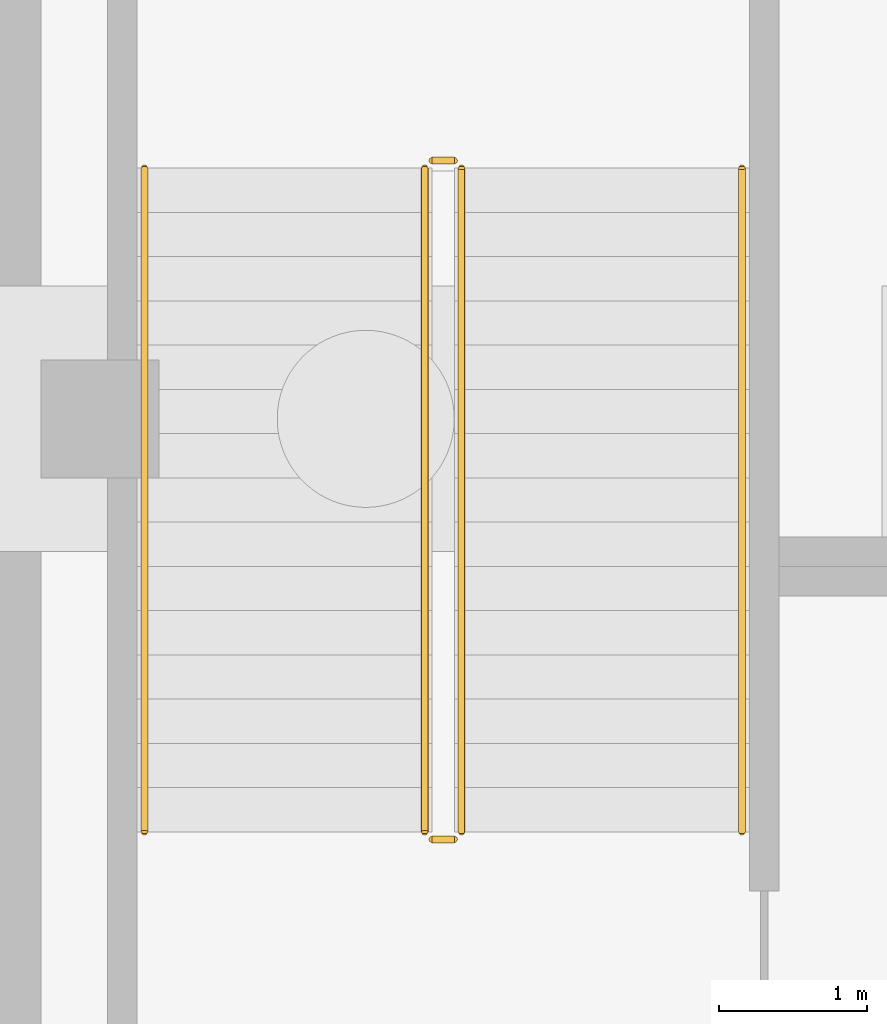
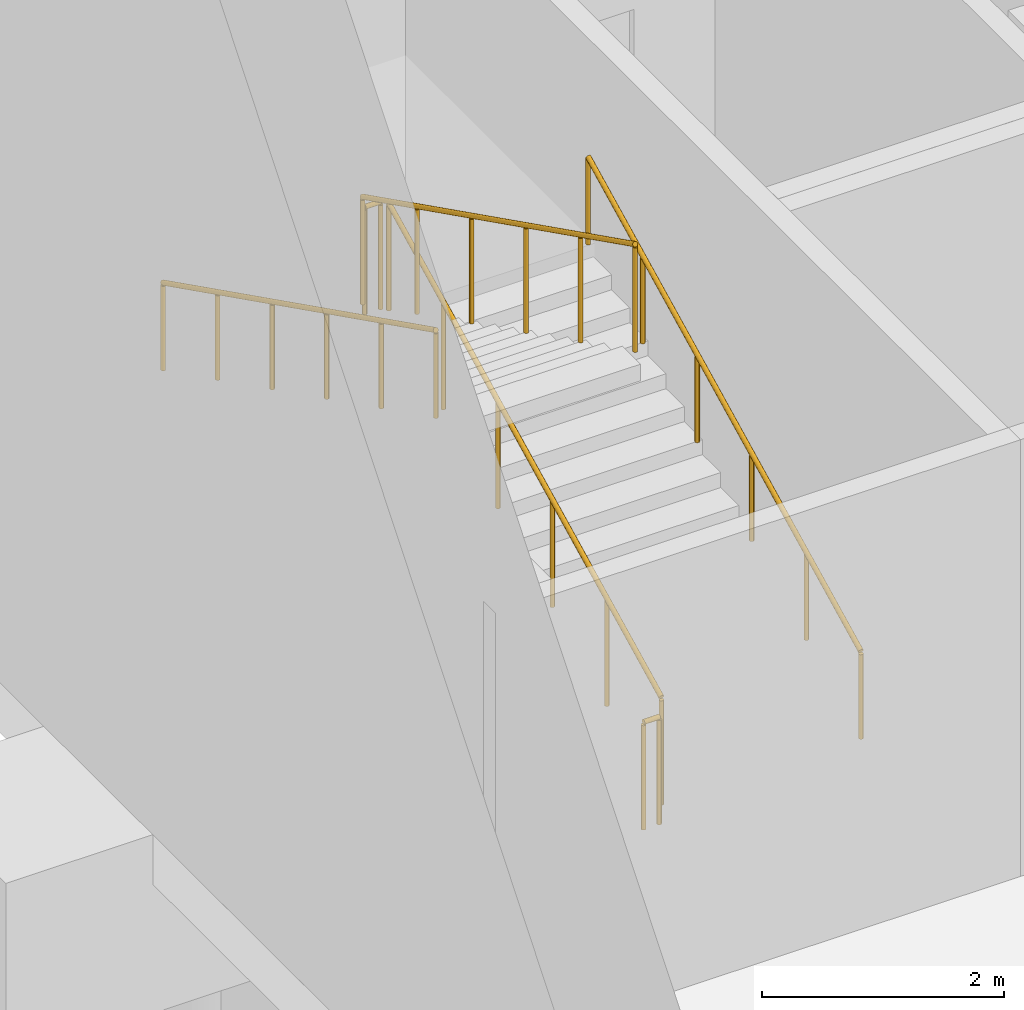
# One storey, part 28 of 46: 6 railings.
"""IFC4 building model written with IfcOpenShell, lengths in metres."""

import ifcopenshell
import ifcopenshell.guid

model = None  # the IFC model being written
_history = None  # IfcOwnerHistory: only IFC2X3 demands one
_inside = {}  # id of a spatial element -> (the spatial element, [elements in it])
_under = {}  # id of a project, library or spatial element -> (it, [spatial elements below it])
_declared = {}  # id of a project -> (the project, [libraries it declares])
_typed = {}  # id of a type object -> (the type object, [elements of that type])
_made_of = {}  # id of a material, layer set ... -> (it, [elements and type objects made of it])


def new_model(schema):
    """Start an empty IFC model of exactly this schema.

    Asked for "IFC4X3", IfcOpenShell would pick the latest addendum, in which some entities
    have other attributes; the version numbers below select the first issue.
    IFC2X3 requires an IfcOwnerHistory on every rooted entity: one is made here for all.
    """
    global model, _history
    if schema == "IFC4X3":
        model = ifcopenshell.file(schema_version=(4, 3, 0, 0))
    else:
        model = ifcopenshell.file(schema=schema)
    _inside.clear()
    _under.clear()
    _declared.clear()
    _typed.clear()
    _made_of.clear()
    _history = None
    if model.schema == "IFC2X3":
        org = make("IfcOrganization", Name="unknown")
        user = make(
            "IfcPersonAndOrganization",
            ThePerson=make("IfcPerson", FamilyName="unknown"),
            TheOrganization=org,
        )
        app = make(
            "IfcApplication",
            ApplicationDeveloper=org,
            Version="unknown",
            ApplicationFullName="unknown",
            ApplicationIdentifier="unknown",
        )
        _history = make(
            "IfcOwnerHistory",
            OwningUser=user,
            OwningApplication=app,
            ChangeAction="ADDED",
            CreationDate=0,
        )
    return model


def make(cls, **values):
    """One entity of the class cls with the attributes given. An attribute that is None is left unset."""
    return model.create_entity(
        cls, **{name: value for name, value in values.items() if value is not None}
    )


def rooted(cls, **values):
    """An entity with a GlobalId (a new one), such as an element, a storey or a relation."""
    return make(cls, GlobalId=ifcopenshell.guid.new(), OwnerHistory=_history, **values)


def si_unit(unit_type, name, prefix=None):
    """IfcSIUnit, for example si_unit("LENGTHUNIT", "METRE", prefix="MILLI")."""
    return make("IfcSIUnit", UnitType=unit_type, Prefix=prefix, Name=name)


def assignment(units):
    """IfcUnitAssignment: the units of a project."""
    return None if units is None else make("IfcUnitAssignment", Units=units)


def point(xyz):
    """IfcCartesianPoint."""
    return None if xyz is None else make("IfcCartesianPoint", Coordinates=xyz)


def direction(xyz):
    """IfcDirection."""
    return None if xyz is None else make("IfcDirection", DirectionRatios=xyz)


def frame(location, z_axis=None, x_axis=None):
    """IfcAxis2Placement3D, a coordinate frame: its origin and axes. An axis left out is left unset."""
    return make(
        "IfcAxis2Placement3D",
        Location=point(location),
        Axis=direction(z_axis),
        RefDirection=direction(x_axis),
    )


def frame_2d(location, x_axis=None):
    """IfcAxis2Placement2D, a coordinate frame in the plane: its origin and x axis."""
    return make(
        "IfcAxis2Placement2D", Location=point(location), RefDirection=direction(x_axis)
    )


def origin():
    """The frame at (0, 0, 0) with its axes left unset."""
    return frame((0.0, 0.0, 0.0))


def origin_2d():
    """The frame at (0, 0) in the plane with its x axis left unset."""
    return frame_2d((0.0, 0.0))


def place(relative_to, where):
    """IfcLocalPlacement: puts the frame where relative to a parent placement (None: the world)."""
    return make(
        "IfcLocalPlacement", PlacementRelTo=relative_to, RelativePlacement=where
    )


def context(
    kind, dimensions, precision=None, world=None, true_north=None, identifier=None
):
    """IfcGeometricRepresentationContext, for example the 3D "Model" context."""
    return make(
        "IfcGeometricRepresentationContext",
        ContextIdentifier=identifier,
        ContextType=kind,
        CoordinateSpaceDimension=dimensions,
        Precision=precision,
        WorldCoordinateSystem=world,
        TrueNorth=true_north,
    )


def subcontext(parent, identifier, kind, view, scale=None):
    """IfcGeometricRepresentationSubContext, for example "Body" below "Model"."""
    return make(
        "IfcGeometricRepresentationSubContext",
        ContextIdentifier=identifier,
        ContextType=kind,
        ParentContext=parent,
        TargetScale=scale,
        TargetView=view,
    )


def project(units=None, contexts=None):
    """IfcProject with its units and contexts."""
    return rooted(
        "IfcProject",
        Name="project",
        RepresentationContexts=contexts,
        UnitsInContext=assignment(units),
    )


def spatial(cls, under=None, at=None, **own):
    """A site, building, storey or space (cls), placed at a placement, below another one or the project."""
    s = rooted(cls, ObjectPlacement=at, **own)
    if under is not None:
        _under.setdefault(under.id(), (under, []))[1].append(s)
    return s


def profile(cls, at=None, kind="AREA", **sizes):
    """A parametric profile (cls). Its sizes go by their IFC names, for example OverallWidth=200.0."""
    return make(cls, ProfileType=kind, Position=at, **sizes)


def circle(**sizes):
    """IfcCircleProfileDef."""
    return profile("IfcCircleProfileDef", **sizes)


def extrude(swept, where, along, depth):
    """IfcExtrudedAreaSolid: the profile swept, set in the frame where, extruded along a direction by depth."""
    return make(
        "IfcExtrudedAreaSolid",
        SweptArea=swept,
        Position=where,
        ExtrudedDirection=direction(along),
        Depth=depth,
    )


def shape(context_of_items, identifier, shape_type, items):
    """IfcShapeRepresentation: the items that make up one representation, for example the "Body"."""
    return make(
        "IfcShapeRepresentation",
        ContextOfItems=context_of_items,
        RepresentationIdentifier=identifier,
        RepresentationType=shape_type,
        Items=items,
    )


def material(Name=None, Category=None):
    """IfcMaterial."""
    return make("IfcMaterial", Name=Name, Category=Category)


def made_of(thing, what):
    """Note that an element or type object is made of a material, layer set ...; save() writes the relation."""
    if what is not None:
        _made_of.setdefault(what.id(), (what, []))[1].append(thing)
    return thing


def type_object(cls, material=None, **own):
    """A type object (cls), such as IfcWallType, which elements share."""
    return made_of(rooted(cls, **own), material)


def element(
    cls,
    number,
    at=None,
    inside=None,
    cuts=None,
    type_object=None,
    material=None,
    context=None,
    identifier="Body",
    shape_type=None,
    held_by="IfcProductDefinitionShape",
    body=None,
    shapes=None,
    **own,
):
    """One element of the class cls, such as IfcWall. Its Tag is "e" and its number.

    at: its placement. inside: the storey or other place that contains it. cuts: it is an
    opening in that element (IfcRelVoidsElement). A single representation is given by context,
    identifier, shape_type and body (its items); several are given by shapes. held_by: the class
    of the entity that holds the representations. save() writes the other relations.
    """
    e = rooted(cls, Tag="e%d" % number, ObjectPlacement=at, **own)
    if body is not None:
        shapes = [shape(context, identifier, shape_type, body)]
    if shapes is not None:
        e.Representation = make(held_by, Representations=shapes)
    if inside is not None:
        _inside.setdefault(inside.id(), (inside, []))[1].append(e)
    if cuts is not None:
        rooted(
            "IfcRelVoidsElement", RelatingBuildingElement=cuts, RelatedOpeningElement=e
        )
    if type_object is not None:
        _typed.setdefault(type_object.id(), (type_object, []))[1].append(e)
    return made_of(e, material)


def aggregate(whole, parts):
    """IfcRelAggregates: a whole, such as a stair, and the parts it consists of."""
    return rooted("IfcRelAggregates", RelatingObject=whole, RelatedObjects=parts)


def save(model, path):
    """Write the relations noted so far, then the file.

    IfcRelAggregates (storeys below a building ...), IfcRelContainedInSpatialStructure (elements
    in a storey), IfcRelDefinesByType, IfcRelAssociatesMaterial and IfcRelDeclares: one each for
    every whole, place, type object, material and project.
    """
    for whole, parts in _under.values():
        aggregate(whole, parts)
    for where, things in _inside.values():
        rooted(
            "IfcRelContainedInSpatialStructure",
            RelatedElements=things,
            RelatingStructure=where,
        )
    for kind, things in _typed.values():
        rooted("IfcRelDefinesByType", RelatedObjects=things, RelatingType=kind)
    for what, things in _made_of.values():
        rooted("IfcRelAssociatesMaterial", RelatedObjects=things, RelatingMaterial=what)
    for by, libraries in _declared.values():
        rooted("IfcRelDeclares", RelatingContext=by, RelatedDefinitions=libraries)
    model.write(path)


model = new_model("IFC4")

# Units and contexts
model_context = context("Model", 3, precision=1e-05, world=origin(), true_north=direction((0.0, 1.0)))
body_context = subcontext(model_context, "Body", "Model", "MODEL_VIEW")
ifc_project = project(units=[si_unit("LENGTHUNIT", "METRE"), si_unit("AREAUNIT", "SQUARE_METRE"), si_unit("VOLUMEUNIT", "CUBIC_METRE"), si_unit("PLANEANGLEUNIT", "RADIAN"), si_unit("MASSUNIT", "GRAM", prefix="KILO")], contexts=[model_context])

# Site, building, storey
site_placement = place(None, origin())
site = spatial("IfcSite", under=ifc_project, at=site_placement, CompositionType="ELEMENT")
building_placement = place(site_placement, origin())
building = spatial("IfcBuilding", under=site, at=building_placement, Name="Tamra Quay Hotel Tower", CompositionType="ELEMENT")
storey_placement = place(building_placement, frame((0.0, 0.0, -12.0)))
storey = spatial("IfcBuildingStorey", under=building, at=storey_placement, Name="B3", CompositionType="ELEMENT", Elevation=-12.0)

# Railings
ifc_material_1 = material(Name="Basement stair guard 1100")
railing_type_1 = type_object("IfcRailingType", Name="Basement stair guard 1100", PredefinedType="GUARDRAIL", material=ifc_material_1)
railing_1_placement = place(storey_placement, frame((-119.85009765625, -66.800048828125, 0.14990234375)))
element("IfcRailing", 1, at=railing_1_placement, inside=storey, type_object=railing_type_1, Name="BSG", PredefinedType="GUARDRAIL", context=body_context, shape_type="SweptSolid", body=[
    extrude(circle(Radius=0.02392578125, at=origin_2d()), frame((0.0, 0.0, 1.076171875), z_axis=(0.0, 0.894427191, 0.4472135955), x_axis=(-1.0, 0.0, 0.0)), (0.0, 0.0, 1.0), 5.03125),
    extrude(circle(Radius=0.02099609375, at=origin_2d()), origin(), (0.0, 0.0, 1.0), 1.052001953125),
    extrude(circle(Radius=0.02099609375, at=origin_2d()), frame((0.0, 0.89990234375, 0.449951171875)), (0.0, 0.0, 1.0), 1.052001953125),
    extrude(circle(Radius=0.02099609375, at=origin_2d()), frame((0.0, 1.800048828125, 0.89990234375)), (0.0, 0.0, 1.0), 1.052001953125),
    extrude(circle(Radius=0.02099609375, at=origin_2d()), frame((0.0, 2.699951171875, 1.35009765625)), (0.0, 0.0, 1.0), 1.052001953125),
    extrude(circle(Radius=0.02099609375, at=origin_2d()), frame((0.0, 3.60009765625, 1.800048828125)), (0.0, 0.0, 1.0), 1.052001953125),
    extrude(circle(Radius=0.02099609375, at=origin_2d()), frame((0.0, 4.5, 2.25)), (0.0, 0.0, 1.0), 1.052001953125),
])
railing_2_placement = place(storey_placement, frame((-119.89990234375, -62.25, 2.39990234375)))
element("IfcRailing", 2, at=railing_2_placement, inside=storey, type_object=railing_type_1, Name="BSG", PredefinedType="GUARDRAIL", context=body_context, shape_type="SweptSolid", body=[
    extrude(circle(Radius=0.02392578125, at=origin_2d()), frame((0.0, 0.0, 1.076171875), z_axis=(-1.0, 0.0, 0.0), x_axis=(0.0, -1.0, 0.0)), (0.0, 0.0, 1.0), 0.150146484375),
    extrude(circle(Radius=0.02099609375, at=origin_2d()), origin(), (0.0, 0.0, 1.0), 1.052001953125),
    extrude(circle(Radius=0.02099609375, at=origin_2d()), frame((-0.150146484375, 0.0, 0.0)), (0.0, 0.0, 1.0), 1.052001953125),
])
railing_3_placement = place(storey_placement, frame((-120.10009765625, -62.300048828125, 2.550048828125)))
element("IfcRailing", 3, at=railing_3_placement, inside=storey, type_object=railing_type_1, Name="BSG", PredefinedType="GUARDRAIL", context=body_context, shape_type="SweptSolid", body=[
    extrude(circle(Radius=0.02392578125, at=origin_2d()), frame((0.0, 0.0, 1.076171875), z_axis=(0.0, -0.894427191, 0.4472135955), x_axis=(1.0, 0.0, 0.0)), (0.0, 0.0, 1.0), 5.03125),
    extrude(circle(Radius=0.02099609375, at=origin_2d()), origin(), (0.0, 0.0, 1.0), 1.052001953125),
    extrude(circle(Radius=0.02099609375, at=origin_2d()), frame((0.0, -0.89990234375, 0.449951171875)), (0.0, 0.0, 1.0), 1.052001953125),
    extrude(circle(Radius=0.02099609375, at=origin_2d()), frame((0.0, -1.800048828125, 0.89990234375)), (0.0, 0.0, 1.0), 1.052001953125),
    extrude(circle(Radius=0.02099609375, at=origin_2d()), frame((0.0, -2.699951171875, 1.35009765625)), (0.0, 0.0, 1.0), 1.052001953125),
    extrude(circle(Radius=0.02099609375, at=origin_2d()), frame((0.0, -3.60009765625, 1.800048828125)), (0.0, 0.0, 1.0), 1.052001953125),
    extrude(circle(Radius=0.02099609375, at=origin_2d()), frame((0.0, -4.5, 2.25)), (0.0, 0.0, 1.0), 1.052001953125),
])
railing_4_placement = place(storey_placement, frame((-119.89990234375, -66.85009765625, 0.0)))
element("IfcRailing", 4, at=railing_4_placement, inside=storey, type_object=railing_type_1, Name="BSG", PredefinedType="GUARDRAIL", context=body_context, shape_type="SweptSolid", body=[
    extrude(circle(Radius=0.02392578125, at=origin_2d()), frame((0.0, 0.0, 1.076171875), z_axis=(-1.0, 0.0, 0.0), x_axis=(0.0, -1.0, 0.0)), (0.0, 0.0, 1.0), 0.150146484375),
    extrude(circle(Radius=0.02099609375, at=origin_2d()), origin(), (0.0, 0.0, 1.0), 1.052001953125),
    extrude(circle(Radius=0.02099609375, at=origin_2d()), frame((-0.150146484375, 0.0, 0.0)), (0.0, 0.0, 1.0), 1.052001953125),
])
ifc_material_2 = material(Name="Basement stair handrail 900")
railing_type_2 = type_object("IfcRailingType", Name="Basement stair handrail 900", PredefinedType="HANDRAIL", material=ifc_material_2)
railing_5_placement = place(storey_placement, frame((-117.949951171875, -66.800048828125, 0.14990234375)))
element("IfcRailing", 5, at=railing_5_placement, inside=storey, type_object=railing_type_2, Name="BSH", PredefinedType="HANDRAIL", context=body_context, shape_type="SweptSolid", body=[
    extrude(circle(Radius=0.02392578125, at=origin_2d()), frame((0.0, 0.0, 0.8759765625), z_axis=(0.0, 0.894427191, 0.4472135955), x_axis=(-1.0, 0.0, 0.0)), (0.0, 0.0, 1.0), 5.03125),
    extrude(circle(Radius=0.02099609375, at=origin_2d()), origin(), (0.0, 0.0, 1.0), 0.851806640625),
    extrude(circle(Radius=0.02099609375, at=origin_2d()), frame((0.0, 0.89990234375, 0.449951171875)), (0.0, 0.0, 1.0), 0.851806640625),
    extrude(circle(Radius=0.02099609375, at=origin_2d()), frame((0.0, 1.800048828125, 0.89990234375)), (0.0, 0.0, 1.0), 0.851806640625),
    extrude(circle(Radius=0.02099609375, at=origin_2d()), frame((0.0, 2.699951171875, 1.35009765625)), (0.0, 0.0, 1.0), 0.851806640625),
    extrude(circle(Radius=0.02099609375, at=origin_2d()), frame((0.0, 3.60009765625, 1.800048828125)), (0.0, 0.0, 1.0), 0.851806640625),
    extrude(circle(Radius=0.02099609375, at=origin_2d()), frame((0.0, 4.5, 2.25)), (0.0, 0.0, 1.0), 0.851806640625),
])
railing_6_placement = place(storey_placement, frame((-122.0, -62.300048828125, 2.550048828125)))
element("IfcRailing", 6, at=railing_6_placement, inside=storey, type_object=railing_type_2, Name="BSH", PredefinedType="HANDRAIL", context=body_context, shape_type="SweptSolid", body=[
    extrude(circle(Radius=0.02392578125, at=origin_2d()), frame((0.0, 0.0, 0.8759765625), z_axis=(0.0, -0.894427191, 0.4472135955), x_axis=(1.0, 0.0, 0.0)), (0.0, 0.0, 1.0), 5.03125),
    extrude(circle(Radius=0.02099609375, at=origin_2d()), origin(), (0.0, 0.0, 1.0), 0.851806640625),
    extrude(circle(Radius=0.02099609375, at=origin_2d()), frame((0.0, -0.89990234375, 0.449951171875)), (0.0, 0.0, 1.0), 0.851806640625),
    extrude(circle(Radius=0.02099609375, at=origin_2d()), frame((0.0, -1.800048828125, 0.89990234375)), (0.0, 0.0, 1.0), 0.851806640625),
    extrude(circle(Radius=0.02099609375, at=origin_2d()), frame((0.0, -2.699951171875, 1.35009765625)), (0.0, 0.0, 1.0), 0.851806640625),
    extrude(circle(Radius=0.02099609375, at=origin_2d()), frame((0.0, -3.60009765625, 1.800048828125)), (0.0, 0.0, 1.0), 0.851806640625),
    extrude(circle(Radius=0.02099609375, at=origin_2d()), frame((0.0, -4.5, 2.25)), (0.0, 0.0, 1.0), 0.851806640625),
])

save(model, "model.ifc")
